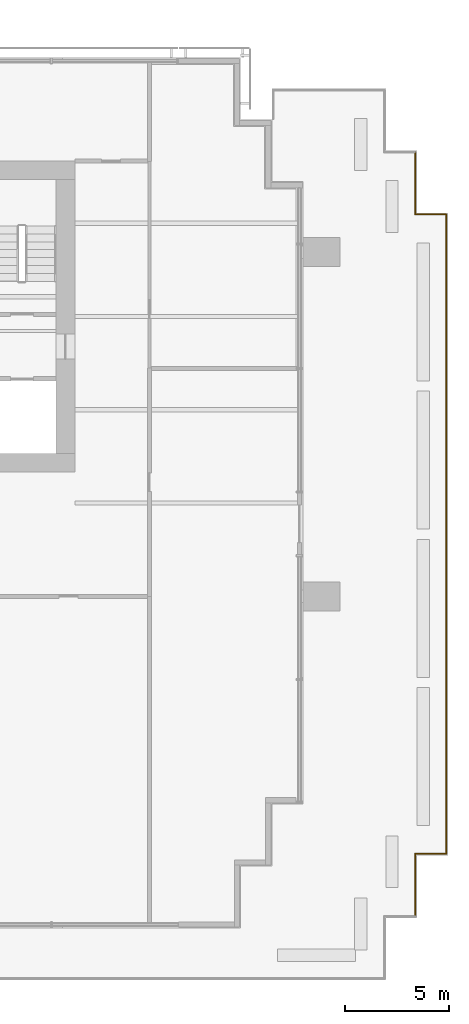
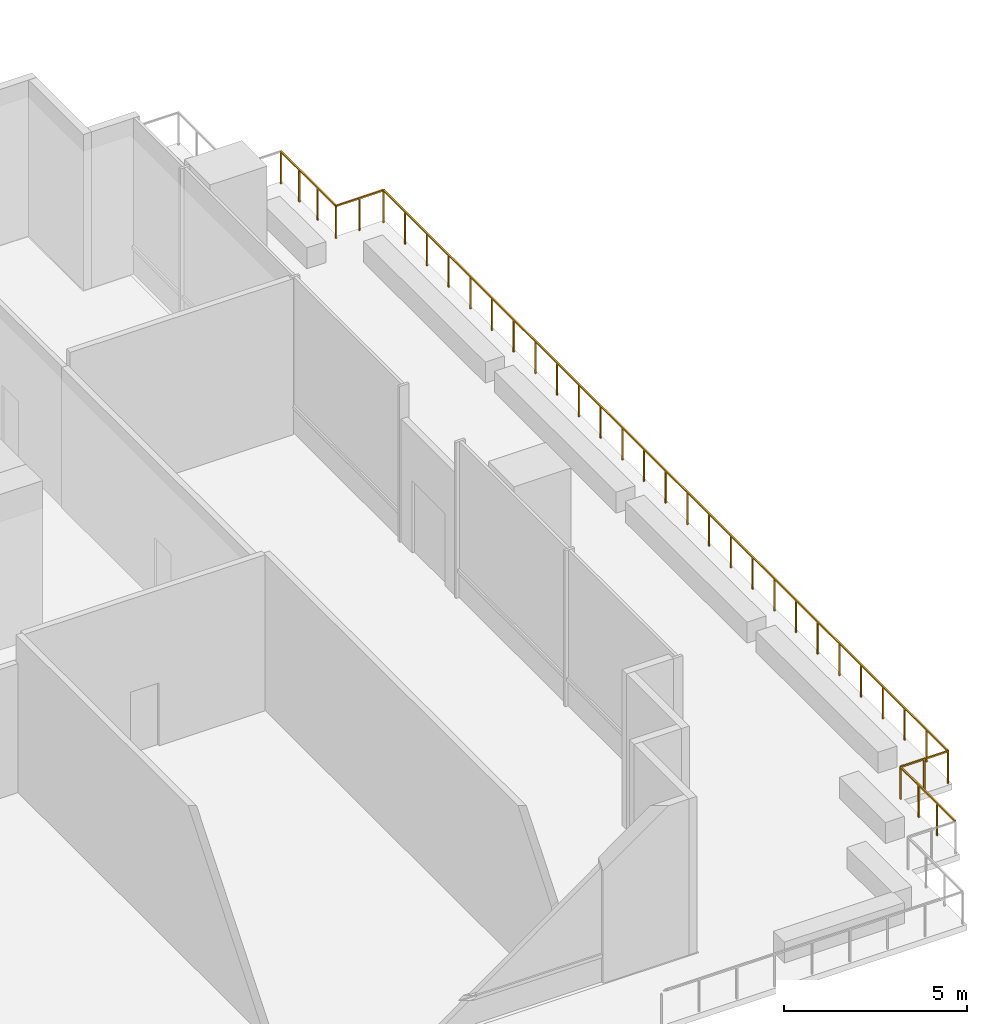
# One storey, part 14 of 14: 5 railings.
"""IFC4 building model written with IfcOpenShell, lengths in metres."""

from ifc_helpers import new_model, si_unit, direction, frame, origin, origin_2d, place, context, subcontext, project, spatial, rectangle, extrude, material, type_object, element, save


model = new_model("IFC4")

# Units and contexts
model_context = context("Model", 3, precision=1e-05, world=origin(), true_north=direction((0.0, 1.0)))
body_context = subcontext(model_context, "Body", "Model", "MODEL_VIEW")
ifc_project = project(units=[si_unit("LENGTHUNIT", "METRE"), si_unit("AREAUNIT", "SQUARE_METRE"), si_unit("VOLUMEUNIT", "CUBIC_METRE"), si_unit("PLANEANGLEUNIT", "RADIAN"), si_unit("MASSUNIT", "GRAM", prefix="KILO")], contexts=[model_context])

# Site, building, storey
site_placement = place(None, origin())
site = spatial("IfcSite", under=ifc_project, at=site_placement, CompositionType="ELEMENT")
building_placement = place(site_placement, origin())
building = spatial("IfcBuilding", under=site, at=building_placement, Name="Rattan Terrace Tower", CompositionType="ELEMENT")
storey_placement = place(building_placement, frame((0.0, 0.0, 120.699951171875)))
storey = spatial("IfcBuildingStorey", under=building, at=storey_placement, Name="L27", CompositionType="ELEMENT", Elevation=120.699951171875)

# Railings
ifc_material = material(Name="Stainless steel 316", Category="steel")
railing_type = type_object("IfcRailingType", Name="Facade Guard 1100", PredefinedType="GUARDRAIL", material=ifc_material)
railing_1_placement = place(storey_placement, frame((34.419921875, 7.919921875, 0.0)))
element("IfcRailing", 1, at=railing_1_placement, inside=storey, type_object=railing_type, Name="Terrace guard L27-1-5", PredefinedType="GUARDRAIL", context=body_context, shape_type="SweptSolid", body=[
    extrude(rectangle(XDim=0.048095703125, YDim=0.048095703125, at=origin_2d()), frame((0.0, 0.0, 1.076171875), z_axis=(0.0, -1.0, 0.0), x_axis=(1.0, 0.0, 0.0)), (0.0, 0.0, 1.0), 3.0),
    extrude(rectangle(XDim=0.0419921875, YDim=0.0419921875, at=origin_2d()), origin(), (0.0, 0.0, 1.0), 1.052001953125),
    extrude(rectangle(XDim=0.0419921875, YDim=0.0419921875, at=origin_2d()), frame((0.0, -1.0, 0.0)), (0.0, 0.0, 1.0), 1.052001953125),
    extrude(rectangle(XDim=0.0419921875, YDim=0.0419921875, at=origin_2d()), frame((0.0, -2.0, 0.0)), (0.0, 0.0, 1.0), 1.052001953125),
])
railing_2_placement = place(storey_placement, frame((34.419921875, 4.919921875, 0.0)))
element("IfcRailing", 2, at=railing_2_placement, inside=storey, type_object=railing_type, Name="Terrace guard L27-1-6", PredefinedType="GUARDRAIL", context=body_context, shape_type="SweptSolid", body=[
    extrude(rectangle(XDim=0.048095703125, YDim=0.048095703125, at=origin_2d()), frame((0.0, 0.0, 1.076171875), z_axis=(1.0, 0.0, 0.0), x_axis=(0.0, 1.0, 0.0)), (0.0, 0.0, 1.0), 1.5),
    extrude(rectangle(XDim=0.0419921875, YDim=0.0419921875, at=origin_2d()), origin(), (0.0, 0.0, 1.0), 1.052001953125),
    extrude(rectangle(XDim=0.0419921875, YDim=0.0419921875, at=origin_2d()), frame((0.75, 0.0, 0.0)), (0.0, 0.0, 1.0), 1.052001953125),
])
railing_3_placement = place(storey_placement, frame((35.919921875, 4.919921875, 0.0)))
element("IfcRailing", 3, at=railing_3_placement, inside=storey, type_object=railing_type, Name="Terrace guard L27-1-7", PredefinedType="GUARDRAIL", context=body_context, shape_type="SweptSolid", body=[
    extrude(rectangle(XDim=0.048095703125, YDim=0.048095703125, at=origin_2d()), frame((0.0, 0.0, 1.076171875), z_axis=(0.0, -1.0, 0.0), x_axis=(1.0, 0.0, 0.0)), (0.0, 0.0, 1.0), 30.83984375),
    extrude(rectangle(XDim=0.0419921875, YDim=0.0419921875, at=origin_2d()), origin(), (0.0, 0.0, 1.0), 1.052001953125),
    extrude(rectangle(XDim=0.0419921875, YDim=0.0419921875, at=origin_2d()), frame((0.0, -1.18603515625, 0.0)), (0.0, 0.0, 1.0), 1.052001953125),
    extrude(rectangle(XDim=0.0419921875, YDim=0.0419921875, at=origin_2d()), frame((0.0, -2.372314453125, 0.0)), (0.0, 0.0, 1.0), 1.052001953125),
    extrude(rectangle(XDim=0.0419921875, YDim=0.0419921875, at=origin_2d()), frame((0.0, -3.558349609375, 0.0)), (0.0, 0.0, 1.0), 1.052001953125),
    extrude(rectangle(XDim=0.0419921875, YDim=0.0419921875, at=origin_2d()), frame((0.0, -4.74462890625, 0.0)), (0.0, 0.0, 1.0), 1.052001953125),
    extrude(rectangle(XDim=0.0419921875, YDim=0.0419921875, at=origin_2d()), frame((0.0, -5.9306640625, 0.0)), (0.0, 0.0, 1.0), 1.052001953125),
    extrude(rectangle(XDim=0.0419921875, YDim=0.0419921875, at=origin_2d()), frame((0.0, -7.116943359375, 0.0)), (0.0, 0.0, 1.0), 1.052001953125),
    extrude(rectangle(XDim=0.0419921875, YDim=0.0419921875, at=origin_2d()), frame((0.0, -8.302978515625, 0.0)), (0.0, 0.0, 1.0), 1.052001953125),
    extrude(rectangle(XDim=0.0419921875, YDim=0.0419921875, at=origin_2d()), frame((0.0, -9.4892578125, 0.0)), (0.0, 0.0, 1.0), 1.052001953125),
    extrude(rectangle(XDim=0.0419921875, YDim=0.0419921875, at=origin_2d()), frame((0.0, -10.67529296875, 0.0)), (0.0, 0.0, 1.0), 1.052001953125),
    extrude(rectangle(XDim=0.0419921875, YDim=0.0419921875, at=origin_2d()), frame((0.0, -11.861572265625, 0.0)), (0.0, 0.0, 1.0), 1.052001953125),
    extrude(rectangle(XDim=0.0419921875, YDim=0.0419921875, at=origin_2d()), frame((0.0, -13.047607421875, 0.0)), (0.0, 0.0, 1.0), 1.052001953125),
    extrude(rectangle(XDim=0.0419921875, YDim=0.0419921875, at=origin_2d()), frame((0.0, -14.23388671875, 0.0)), (0.0, 0.0, 1.0), 1.052001953125),
    extrude(rectangle(XDim=0.0419921875, YDim=0.0419921875, at=origin_2d()), frame((0.0, -15.419921875, 0.0)), (0.0, 0.0, 1.0), 1.052001953125),
    extrude(rectangle(XDim=0.0419921875, YDim=0.0419921875, at=origin_2d()), frame((0.0, -16.60595703125, 0.0)), (0.0, 0.0, 1.0), 1.052001953125),
    extrude(rectangle(XDim=0.0419921875, YDim=0.0419921875, at=origin_2d()), frame((0.0, -17.792236328125, 0.0)), (0.0, 0.0, 1.0), 1.052001953125),
    extrude(rectangle(XDim=0.0419921875, YDim=0.0419921875, at=origin_2d()), frame((0.0, -18.978271484375, 0.0)), (0.0, 0.0, 1.0), 1.052001953125),
    extrude(rectangle(XDim=0.0419921875, YDim=0.0419921875, at=origin_2d()), frame((0.0, -20.16455078125, 0.0)), (0.0, 0.0, 1.0), 1.052001953125),
    extrude(rectangle(XDim=0.0419921875, YDim=0.0419921875, at=origin_2d()), frame((0.0, -21.3505859375, 0.0)), (0.0, 0.0, 1.0), 1.052001953125),
    extrude(rectangle(XDim=0.0419921875, YDim=0.0419921875, at=origin_2d()), frame((0.0, -22.536865234375, 0.0)), (0.0, 0.0, 1.0), 1.052001953125),
    extrude(rectangle(XDim=0.0419921875, YDim=0.0419921875, at=origin_2d()), frame((0.0, -23.722900390625, 0.0)), (0.0, 0.0, 1.0), 1.052001953125),
    extrude(rectangle(XDim=0.0419921875, YDim=0.0419921875, at=origin_2d()), frame((0.0, -24.9091796875, 0.0)), (0.0, 0.0, 1.0), 1.052001953125),
    extrude(rectangle(XDim=0.0419921875, YDim=0.0419921875, at=origin_2d()), frame((0.0, -26.09521484375, 0.0)), (0.0, 0.0, 1.0), 1.052001953125),
    extrude(rectangle(XDim=0.0419921875, YDim=0.0419921875, at=origin_2d()), frame((0.0, -27.281494140625, 0.0)), (0.0, 0.0, 1.0), 1.052001953125),
    extrude(rectangle(XDim=0.0419921875, YDim=0.0419921875, at=origin_2d()), frame((0.0, -28.467529296875, 0.0)), (0.0, 0.0, 1.0), 1.052001953125),
    extrude(rectangle(XDim=0.0419921875, YDim=0.0419921875, at=origin_2d()), frame((0.0, -29.65380859375, 0.0)), (0.0, 0.0, 1.0), 1.052001953125),
])
railing_4_placement = place(storey_placement, frame((35.919921875, -25.919921875, 0.0)))
element("IfcRailing", 4, at=railing_4_placement, inside=storey, type_object=railing_type, Name="Terrace guard L27-1-8", PredefinedType="GUARDRAIL", context=body_context, shape_type="SweptSolid", body=[
    extrude(rectangle(XDim=0.048095703125, YDim=0.048095703125, at=origin_2d()), frame((0.0, 0.0, 1.076171875), z_axis=(-1.0, 0.0, 0.0), x_axis=(0.0, -1.0, 0.0)), (0.0, 0.0, 1.0), 1.5),
    extrude(rectangle(XDim=0.0419921875, YDim=0.0419921875, at=origin_2d()), origin(), (0.0, 0.0, 1.0), 1.052001953125),
    extrude(rectangle(XDim=0.0419921875, YDim=0.0419921875, at=origin_2d()), frame((-0.75, 0.0, 0.0)), (0.0, 0.0, 1.0), 1.052001953125),
])
railing_5_placement = place(storey_placement, frame((34.419921875, -25.919921875, 0.0)))
element("IfcRailing", 5, at=railing_5_placement, inside=storey, type_object=railing_type, Name="Terrace guard L27-1-9", PredefinedType="GUARDRAIL", context=body_context, shape_type="SweptSolid", body=[
    extrude(rectangle(XDim=0.048095703125, YDim=0.048095703125, at=origin_2d()), frame((0.0, 0.0, 1.076171875), z_axis=(0.0, -1.0, 0.0), x_axis=(1.0, 0.0, 0.0)), (0.0, 0.0, 1.0), 3.0),
    extrude(rectangle(XDim=0.0419921875, YDim=0.0419921875, at=origin_2d()), origin(), (0.0, 0.0, 1.0), 1.052001953125),
    extrude(rectangle(XDim=0.0419921875, YDim=0.0419921875, at=origin_2d()), frame((0.0, -1.0, 0.0)), (0.0, 0.0, 1.0), 1.052001953125),
    extrude(rectangle(XDim=0.0419921875, YDim=0.0419921875, at=origin_2d()), frame((0.0, -2.0, 0.0)), (0.0, 0.0, 1.0), 1.052001953125),
])

save(model, "model.ifc")
